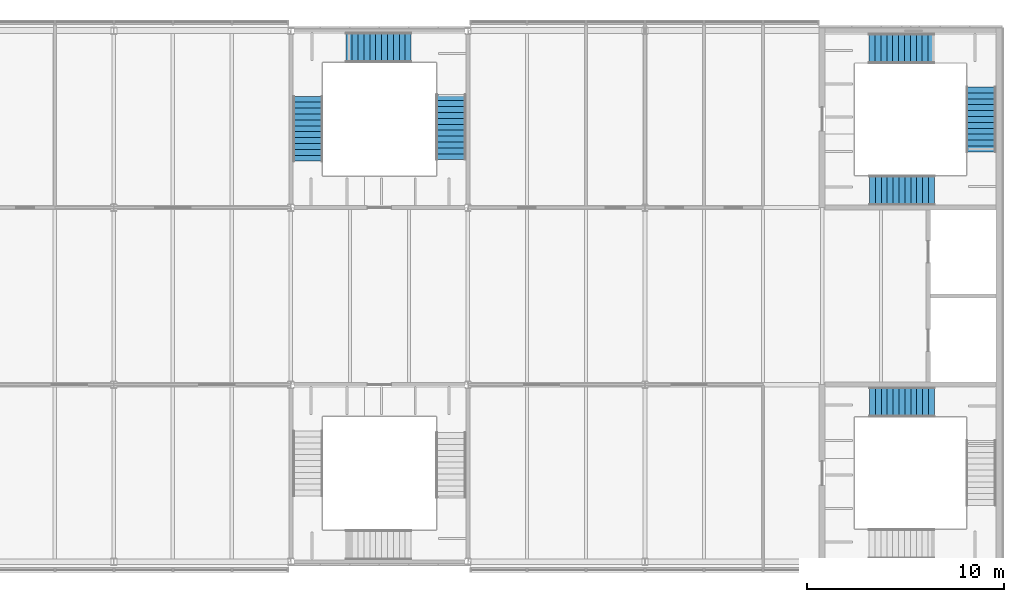
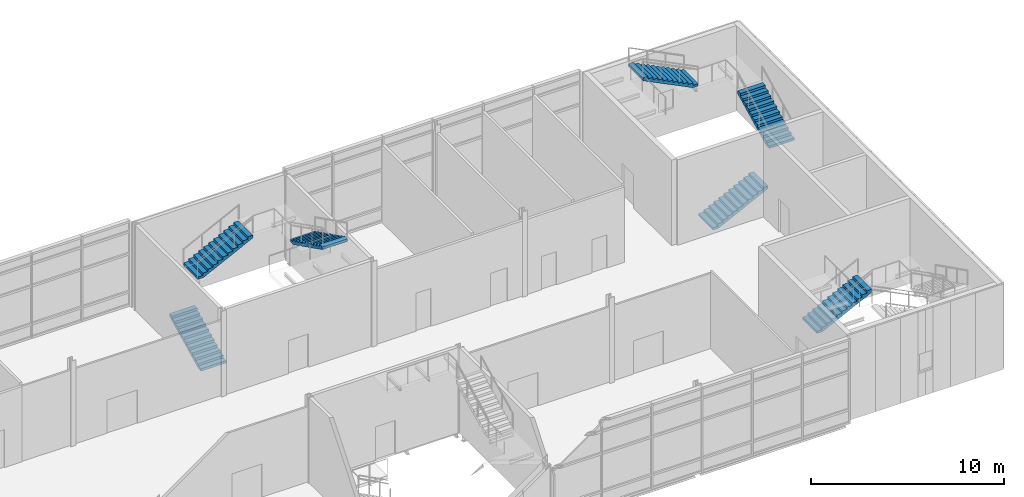
# One storey, part 44 of 53: 7 stair flights, 3 elements without a shape of their own.
"""IFC4 building model written with IfcOpenShell, lengths in metres."""

from ifc_helpers import new_model, si_unit, direction, frame, origin, place, context, subcontext, project, spatial, polyline, outline, extrude, material, type_object, element, aggregate, save


model = new_model("IFC4")

# Units and contexts
model_context = context("Model", 3, precision=1e-05, world=origin(), true_north=direction((0.0, 1.0)))
body_context = subcontext(model_context, "Body", "Model", "MODEL_VIEW")
ifc_project = project(units=[si_unit("LENGTHUNIT", "METRE"), si_unit("AREAUNIT", "SQUARE_METRE"), si_unit("VOLUMEUNIT", "CUBIC_METRE"), si_unit("PLANEANGLEUNIT", "RADIAN"), si_unit("MASSUNIT", "GRAM", prefix="KILO")], contexts=[model_context])

# Site, building, storey
site_placement = place(None, origin())
site = spatial("IfcSite", under=ifc_project, at=site_placement, CompositionType="ELEMENT")
building_placement = place(site_placement, origin())
building = spatial("IfcBuilding", under=site, at=building_placement, Name="Azimuth Sports and Learning Centre", CompositionType="ELEMENT")
storey_placement = place(building_placement, frame((0.0, 0.0, 10.800048828125)))
storey = spatial("IfcBuildingStorey", under=building, at=storey_placement, Name="L02", CompositionType="ELEMENT", Elevation=10.800048828125)

# Stair, stair flight
ifc_material_1 = material(Name="Concrete C32/40", Category="concrete")
stair_type_1 = type_object("IfcStairType", Name="Square-well stair end core 5400 storey", PredefinedType="THREE_QUARTER_TURN_STAIR", material=ifc_material_1)
stair_1_placement = place(storey_placement, origin())
stair_1 = element("IfcStair", 1, at=stair_1_placement, inside=storey, type_object=stair_type_1, Name="Stair EW1 L02-L03", PredefinedType="THREE_QUARTER_TURN_STAIR")
ifc_material_2 = material(Name="Concrete C32/40", Category="concrete")
stair_flight_type = type_object("IfcStairFlightType", Name="Stair flight 12 risers", PredefinedType="STRAIGHT", material=ifc_material_2)
stair_flight_1_placement = place(storey_placement, frame((164.409912109375, 98.114990234375, 0.0), z_axis=(0.0, 0.0, 1.0), x_axis=(1.0, 0.0, 0.0)))
stair_flight_1 = element("IfcStairFlight", 2, at=stair_flight_1_placement, type_object=stair_flight_type, Name="Stair EW1 L02 flight 1", NumberOfRisers=12, NumberOfTreads=11, PredefinedType="STRAIGHT", RiserHeight=0.15, TreadLength=0.3, context=body_context, shape_type="SweptSolid", body=[
    extrude(outline(polyline([(0.0, 0.0), (0.0, 0.14990234375), (0.300048828125, 0.14990234375), (0.300048828125, 0.300048828125), (0.60009765625, 0.300048828125), (0.60009765625, 0.449951171875), (0.89990234375, 0.449951171875), (0.89990234375, 0.60009765625), (1.199951171875, 0.60009765625), (1.199951171875, 0.75), (1.5, 0.75), (1.5, 0.89990234375), (1.800048828125, 0.89990234375), (1.800048828125, 1.050048828125), (2.10009765625, 1.050048828125), (2.10009765625, 1.199951171875), (2.39990234375, 1.199951171875), (2.39990234375, 1.35009765625), (2.699951171875, 1.35009765625), (2.699951171875, 1.5), (3.0, 1.5), (3.0, 1.64990234375), (3.300048828125, 1.64990234375), (3.300048828125, 1.800048828125), (3.300048828125, 1.482421875), (0.335205078125, 0.0), (0.0, 0.0)])), frame((0.0, 0.75, 0.0), z_axis=(0.0, -1.0, 0.0), x_axis=(1.0, 0.0, 0.0)), (0.0, 0.0, 1.0), 1.5),
])
aggregate(stair_1, [stair_flight_1])

# Stair, stair flights
stair_2_placement = place(storey_placement, origin())
stair_2 = element("IfcStair", 3, at=stair_2_placement, inside=storey, type_object=stair_type_1, Name="Stair EW2 L02-L03", PredefinedType="THREE_QUARTER_TURN_STAIR")
stair_flight_2_placement = place(storey_placement, frame((164.409912109375, 108.885009765625, 0.0), z_axis=(0.0, 0.0, 1.0), x_axis=(1.0, 0.0, 0.0)))
stair_flight_2 = element("IfcStairFlight", 4, at=stair_flight_2_placement, type_object=stair_flight_type, Name="Stair EW2 L02 flight 1", NumberOfRisers=12, NumberOfTreads=11, PredefinedType="STRAIGHT", RiserHeight=0.15, TreadLength=0.3, context=body_context, shape_type="SweptSolid", body=[
    extrude(outline(polyline([(0.0, 0.0), (0.0, 0.14990234375), (0.300048828125, 0.14990234375), (0.300048828125, 0.300048828125), (0.60009765625, 0.300048828125), (0.60009765625, 0.449951171875), (0.89990234375, 0.449951171875), (0.89990234375, 0.60009765625), (1.199951171875, 0.60009765625), (1.199951171875, 0.75), (1.5, 0.75), (1.5, 0.89990234375), (1.800048828125, 0.89990234375), (1.800048828125, 1.050048828125), (2.10009765625, 1.050048828125), (2.10009765625, 1.199951171875), (2.39990234375, 1.199951171875), (2.39990234375, 1.35009765625), (2.699951171875, 1.35009765625), (2.699951171875, 1.5), (3.0, 1.5), (3.0, 1.64990234375), (3.300048828125, 1.64990234375), (3.300048828125, 1.800048828125), (3.300048828125, 1.482421875), (0.335205078125, 0.0), (0.0, 0.0)])), frame((0.0, 0.75, 0.0), z_axis=(0.0, -1.0, 0.0), x_axis=(1.0, 0.0, 0.0)), (0.0, 0.0, 1.0), 1.5),
])
stair_flight_3_placement = place(storey_placement, frame((170.090087890625, 110.8349609375, 1.800048828125), z_axis=(0.0, 0.0, 1.0), x_axis=(0.0, 1.0, 0.0)))
stair_flight_3 = element("IfcStairFlight", 5, at=stair_flight_3_placement, type_object=stair_flight_type, Name="Stair EW2 L02 flight 2", NumberOfRisers=12, NumberOfTreads=11, PredefinedType="STRAIGHT", RiserHeight=0.15, TreadLength=0.3, context=body_context, shape_type="SweptSolid", body=[
    extrude(outline(polyline([(0.0, 0.0), (0.0, 0.14990234375), (0.300048828125, 0.14990234375), (0.300048828125, 0.300048828125), (0.60009765625, 0.300048828125), (0.60009765625, 0.449951171875), (0.89990234375, 0.449951171875), (0.89990234375, 0.60009765625), (1.199951171875, 0.60009765625), (1.199951171875, 0.75), (1.5, 0.75), (1.5, 0.89990234375), (1.800048828125, 0.89990234375), (1.800048828125, 1.050048828125), (2.10009765625, 1.050048828125), (2.10009765625, 1.199951171875), (2.39990234375, 1.199951171875), (2.39990234375, 1.35009765625), (2.699951171875, 1.35009765625), (2.699951171875, 1.5), (3.0, 1.5), (3.0, 1.64990234375), (3.300048828125, 1.64990234375), (3.300048828125, 1.800048828125), (3.300048828125, 1.482421875), (0.335205078125, 0.0), (0.0, 0.0)])), frame((0.0, 0.75, 0.0), z_axis=(0.0, -1.0, 0.0), x_axis=(1.0, 0.0, 0.0)), (0.0, 0.0, 1.0), 1.5),
])
stair_flight_4_placement = place(storey_placement, frame((167.68994140625, 116.090087890625, 3.599853515625), z_axis=(0.0, 0.0, 1.0), x_axis=(-1.0, 0.0, 0.0)))
stair_flight_4 = element("IfcStairFlight", 6, at=stair_flight_4_placement, type_object=stair_flight_type, Name="Stair EW2 L02 flight 3", NumberOfRisers=12, NumberOfTreads=11, PredefinedType="STRAIGHT", RiserHeight=0.15, TreadLength=0.3, context=body_context, shape_type="SweptSolid", body=[
    extrude(outline(polyline([(0.0, 0.0), (0.0, 0.14990234375), (0.300048828125, 0.14990234375), (0.300048828125, 0.300048828125), (0.60009765625, 0.300048828125), (0.60009765625, 0.449951171875), (0.89990234375, 0.449951171875), (0.89990234375, 0.60009765625), (1.199951171875, 0.60009765625), (1.199951171875, 0.75), (1.5, 0.75), (1.5, 0.89990234375), (1.800048828125, 0.89990234375), (1.800048828125, 1.050048828125), (2.10009765625, 1.050048828125), (2.10009765625, 1.199951171875), (2.39990234375, 1.199951171875), (2.39990234375, 1.35009765625), (2.699951171875, 1.35009765625), (2.699951171875, 1.5), (3.0, 1.5), (3.0, 1.64990234375), (3.300048828125, 1.64990234375), (3.300048828125, 1.800048828125), (3.300048828125, 1.482421875), (0.335205078125, 0.0), (0.0, 0.0)])), frame((0.0, 0.75, 0.0), z_axis=(0.0, -1.0, 0.0), x_axis=(1.0, 0.0, 0.0)), (0.0, 0.0, 1.0), 1.5),
])
aggregate(stair_2, [stair_flight_2, stair_flight_3, stair_flight_4])

ifc_material_3 = material(Name="Concrete C32/40", Category="concrete")
stair_type_2 = type_object("IfcStairType", Name="Square-well stair mid-wing cell 5400 storey", PredefinedType="THREE_QUARTER_TURN_STAIR", material=ifc_material_3)
stair_3_placement = place(storey_placement, origin())
stair_3 = element("IfcStair", 7, at=stair_3_placement, inside=storey, type_object=stair_type_2, Name="Stair EM2 L02-L03", PredefinedType="THREE_QUARTER_TURN_STAIR")
stair_flight_5_placement = place(storey_placement, frame((135.860107421875, 110.360107421875, 0.0), z_axis=(0.0, 0.0, 1.0), x_axis=(0.0, 1.0, 0.0)))
stair_flight_5 = element("IfcStairFlight", 8, at=stair_flight_5_placement, type_object=stair_flight_type, Name="Stair EM2 L02 flight 1", NumberOfRisers=12, NumberOfTreads=11, PredefinedType="STRAIGHT", RiserHeight=0.15, TreadLength=0.3, context=body_context, shape_type="SweptSolid", body=[
    extrude(outline(polyline([(0.0, 0.0), (0.0, 0.14990234375), (0.300048828125, 0.14990234375), (0.300048828125, 0.300048828125), (0.60009765625, 0.300048828125), (0.60009765625, 0.449951171875), (0.89990234375, 0.449951171875), (0.89990234375, 0.60009765625), (1.199951171875, 0.60009765625), (1.199951171875, 0.75), (1.5, 0.75), (1.5, 0.89990234375), (1.800048828125, 0.89990234375), (1.800048828125, 1.050048828125), (2.10009765625, 1.050048828125), (2.10009765625, 1.199951171875), (2.39990234375, 1.199951171875), (2.39990234375, 1.35009765625), (2.699951171875, 1.35009765625), (2.699951171875, 1.5), (3.0, 1.5), (3.0, 1.64990234375), (3.300048828125, 1.64990234375), (3.300048828125, 1.800048828125), (3.300048828125, 1.482421875), (0.335205078125, 0.0), (0.0, 0.0)])), frame((0.0, 0.75, 0.0), z_axis=(0.0, -1.0, 0.0), x_axis=(1.0, 0.0, 0.0)), (0.0, 0.0, 1.0), 1.5),
])
stair_flight_6_placement = place(storey_placement, frame((137.81005859375, 116.139892578125, 1.800048828125), z_axis=(0.0, 0.0, 1.0), x_axis=(1.0, 0.0, 0.0)))
stair_flight_6 = element("IfcStairFlight", 9, at=stair_flight_6_placement, type_object=stair_flight_type, Name="Stair EM2 L02 flight 2", NumberOfRisers=12, NumberOfTreads=11, PredefinedType="STRAIGHT", RiserHeight=0.15, TreadLength=0.3, context=body_context, shape_type="SweptSolid", body=[
    extrude(outline(polyline([(0.0, 0.0), (0.0, 0.14990234375), (0.300048828125, 0.14990234375), (0.300048828125, 0.300048828125), (0.60009765625, 0.300048828125), (0.60009765625, 0.449951171875), (0.89990234375, 0.449951171875), (0.89990234375, 0.60009765625), (1.199951171875, 0.60009765625), (1.199951171875, 0.75), (1.5, 0.75), (1.5, 0.89990234375), (1.800048828125, 0.89990234375), (1.800048828125, 1.050048828125), (2.10009765625, 1.050048828125), (2.10009765625, 1.199951171875), (2.39990234375, 1.199951171875), (2.39990234375, 1.35009765625), (2.699951171875, 1.35009765625), (2.699951171875, 1.5), (3.0, 1.5), (3.0, 1.64990234375), (3.300048828125, 1.64990234375), (3.300048828125, 1.800048828125), (3.300048828125, 1.482421875), (0.335205078125, 0.0), (0.0, 0.0)])), frame((0.0, 0.75, 0.0), z_axis=(0.0, -1.0, 0.0), x_axis=(1.0, 0.0, 0.0)), (0.0, 0.0, 1.0), 1.5),
])
stair_flight_7_placement = place(storey_placement, frame((143.139892578125, 113.739990234375, 3.599853515625), z_axis=(0.0, 0.0, 1.0), x_axis=(0.0, -1.0, 0.0)))
stair_flight_7 = element("IfcStairFlight", 10, at=stair_flight_7_placement, type_object=stair_flight_type, Name="Stair EM2 L02 flight 3", NumberOfRisers=12, NumberOfTreads=11, PredefinedType="STRAIGHT", RiserHeight=0.15, TreadLength=0.3, context=body_context, shape_type="SweptSolid", body=[
    extrude(outline(polyline([(0.0, 0.0), (0.0, 0.14990234375), (0.300048828125, 0.14990234375), (0.300048828125, 0.300048828125), (0.60009765625, 0.300048828125), (0.60009765625, 0.449951171875), (0.89990234375, 0.449951171875), (0.89990234375, 0.60009765625), (1.199951171875, 0.60009765625), (1.199951171875, 0.75), (1.5, 0.75), (1.5, 0.89990234375), (1.800048828125, 0.89990234375), (1.800048828125, 1.050048828125), (2.10009765625, 1.050048828125), (2.10009765625, 1.199951171875), (2.39990234375, 1.199951171875), (2.39990234375, 1.35009765625), (2.699951171875, 1.35009765625), (2.699951171875, 1.5), (3.0, 1.5), (3.0, 1.64990234375), (3.300048828125, 1.64990234375), (3.300048828125, 1.800048828125), (3.300048828125, 1.482421875), (0.335205078125, 0.0), (0.0, 0.0)])), frame((0.0, 0.75, 0.0), z_axis=(0.0, -1.0, 0.0), x_axis=(1.0, 0.0, 0.0)), (0.0, 0.0, 1.0), 1.5),
])
aggregate(stair_3, [stair_flight_5, stair_flight_6, stair_flight_7])

save(model, "model.ifc")
